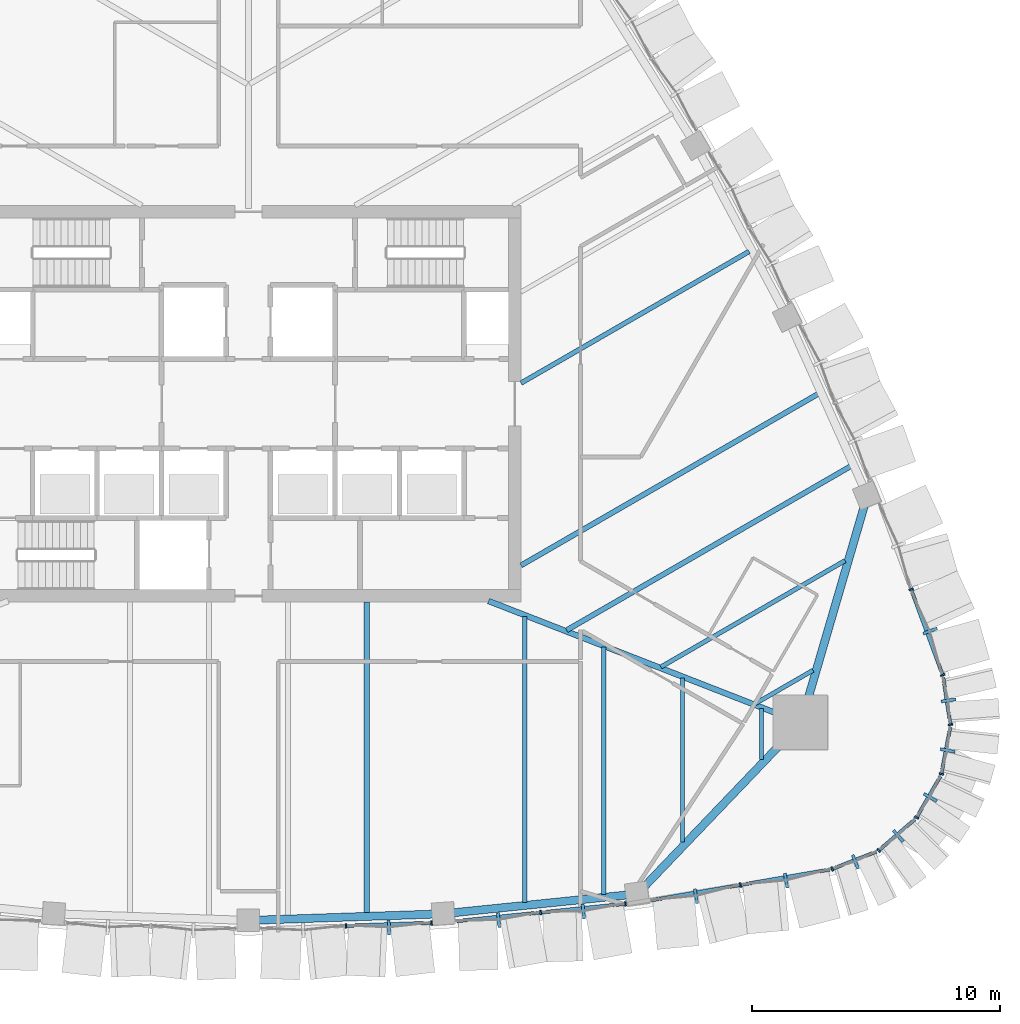
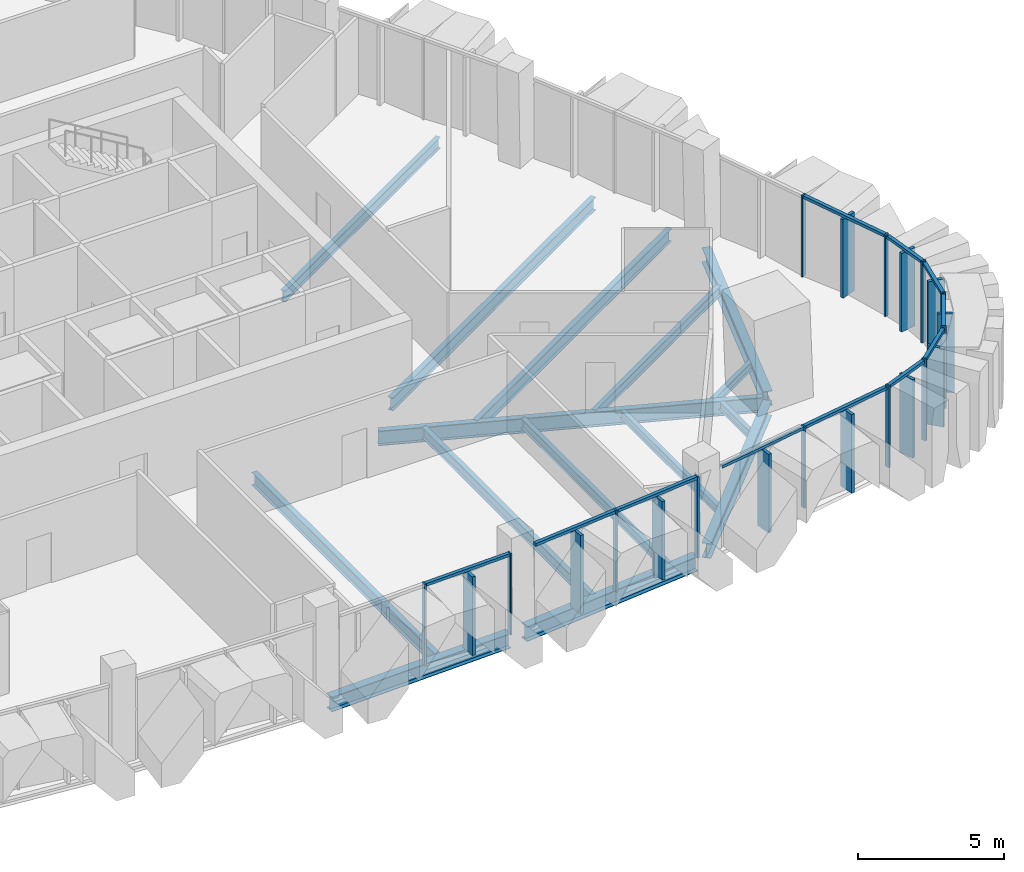
# One storey, part 4 of 19: 34 members, 15 beams, 9 elements without a shape of their own.
"""IFC4 building model written with IfcOpenShell, lengths in metres."""

import ifcopenshell
import ifcopenshell.guid

model = None  # the IFC model being written
_history = None  # IfcOwnerHistory: only IFC2X3 demands one
_inside = {}  # id of a spatial element -> (the spatial element, [elements in it])
_under = {}  # id of a project, library or spatial element -> (it, [spatial elements below it])
_declared = {}  # id of a project -> (the project, [libraries it declares])
_typed = {}  # id of a type object -> (the type object, [elements of that type])
_made_of = {}  # id of a material, layer set ... -> (it, [elements and type objects made of it])


def new_model(schema):
    """Start an empty IFC model of exactly this schema.

    Asked for "IFC4X3", IfcOpenShell would pick the latest addendum, in which some entities
    have other attributes; the version numbers below select the first issue.
    IFC2X3 requires an IfcOwnerHistory on every rooted entity: one is made here for all.
    """
    global model, _history
    if schema == "IFC4X3":
        model = ifcopenshell.file(schema_version=(4, 3, 0, 0))
    else:
        model = ifcopenshell.file(schema=schema)
    _inside.clear()
    _under.clear()
    _declared.clear()
    _typed.clear()
    _made_of.clear()
    _history = None
    if model.schema == "IFC2X3":
        org = make("IfcOrganization", Name="unknown")
        user = make(
            "IfcPersonAndOrganization",
            ThePerson=make("IfcPerson", FamilyName="unknown"),
            TheOrganization=org,
        )
        app = make(
            "IfcApplication",
            ApplicationDeveloper=org,
            Version="unknown",
            ApplicationFullName="unknown",
            ApplicationIdentifier="unknown",
        )
        _history = make(
            "IfcOwnerHistory",
            OwningUser=user,
            OwningApplication=app,
            ChangeAction="ADDED",
            CreationDate=0,
        )
    return model


def make(cls, **values):
    """One entity of the class cls with the attributes given. An attribute that is None is left unset."""
    return model.create_entity(
        cls, **{name: value for name, value in values.items() if value is not None}
    )


def rooted(cls, **values):
    """An entity with a GlobalId (a new one), such as an element, a storey or a relation."""
    return make(cls, GlobalId=ifcopenshell.guid.new(), OwnerHistory=_history, **values)


def si_unit(unit_type, name, prefix=None):
    """IfcSIUnit, for example si_unit("LENGTHUNIT", "METRE", prefix="MILLI")."""
    return make("IfcSIUnit", UnitType=unit_type, Prefix=prefix, Name=name)


def assignment(units):
    """IfcUnitAssignment: the units of a project."""
    return None if units is None else make("IfcUnitAssignment", Units=units)


def point(xyz):
    """IfcCartesianPoint."""
    return None if xyz is None else make("IfcCartesianPoint", Coordinates=xyz)


def direction(xyz):
    """IfcDirection."""
    return None if xyz is None else make("IfcDirection", DirectionRatios=xyz)


def frame(location, z_axis=None, x_axis=None):
    """IfcAxis2Placement3D, a coordinate frame: its origin and axes. An axis left out is left unset."""
    return make(
        "IfcAxis2Placement3D",
        Location=point(location),
        Axis=direction(z_axis),
        RefDirection=direction(x_axis),
    )


def frame_2d(location, x_axis=None):
    """IfcAxis2Placement2D, a coordinate frame in the plane: its origin and x axis."""
    return make(
        "IfcAxis2Placement2D", Location=point(location), RefDirection=direction(x_axis)
    )


def origin():
    """The frame at (0, 0, 0) with its axes left unset."""
    return frame((0.0, 0.0, 0.0))


def origin_2d():
    """The frame at (0, 0) in the plane with its x axis left unset."""
    return frame_2d((0.0, 0.0))


def place(relative_to, where):
    """IfcLocalPlacement: puts the frame where relative to a parent placement (None: the world)."""
    return make(
        "IfcLocalPlacement", PlacementRelTo=relative_to, RelativePlacement=where
    )


def context(
    kind, dimensions, precision=None, world=None, true_north=None, identifier=None
):
    """IfcGeometricRepresentationContext, for example the 3D "Model" context."""
    return make(
        "IfcGeometricRepresentationContext",
        ContextIdentifier=identifier,
        ContextType=kind,
        CoordinateSpaceDimension=dimensions,
        Precision=precision,
        WorldCoordinateSystem=world,
        TrueNorth=true_north,
    )


def subcontext(parent, identifier, kind, view, scale=None):
    """IfcGeometricRepresentationSubContext, for example "Body" below "Model"."""
    return make(
        "IfcGeometricRepresentationSubContext",
        ContextIdentifier=identifier,
        ContextType=kind,
        ParentContext=parent,
        TargetScale=scale,
        TargetView=view,
    )


def project(units=None, contexts=None):
    """IfcProject with its units and contexts."""
    return rooted(
        "IfcProject",
        Name="project",
        RepresentationContexts=contexts,
        UnitsInContext=assignment(units),
    )


def spatial(cls, under=None, at=None, **own):
    """A site, building, storey or space (cls), placed at a placement, below another one or the project."""
    s = rooted(cls, ObjectPlacement=at, **own)
    if under is not None:
        _under.setdefault(under.id(), (under, []))[1].append(s)
    return s


def profile(cls, at=None, kind="AREA", **sizes):
    """A parametric profile (cls). Its sizes go by their IFC names, for example OverallWidth=200.0."""
    return make(cls, ProfileType=kind, Position=at, **sizes)


def rectangle(**sizes):
    """IfcRectangleProfileDef."""
    return profile("IfcRectangleProfileDef", **sizes)


def i_section(**sizes):
    """IfcIShapeProfileDef."""
    return profile("IfcIShapeProfileDef", **sizes)


def extrude(swept, where, along, depth):
    """IfcExtrudedAreaSolid: the profile swept, set in the frame where, extruded along a direction by depth."""
    return make(
        "IfcExtrudedAreaSolid",
        SweptArea=swept,
        Position=where,
        ExtrudedDirection=direction(along),
        Depth=depth,
    )


def shape(context_of_items, identifier, shape_type, items):
    """IfcShapeRepresentation: the items that make up one representation, for example the "Body"."""
    return make(
        "IfcShapeRepresentation",
        ContextOfItems=context_of_items,
        RepresentationIdentifier=identifier,
        RepresentationType=shape_type,
        Items=items,
    )


def material(Name=None, Category=None):
    """IfcMaterial."""
    return make("IfcMaterial", Name=Name, Category=Category)


def layer(
    of_material, thickness, ventilated=None, Name=None, Category=None, Priority=None
):
    """IfcMaterialLayer: one layer of a wall or slab, of a material (None: an air gap)."""
    return make(
        "IfcMaterialLayer",
        Material=of_material,
        LayerThickness=thickness,
        IsVentilated=ventilated,
        Name=Name,
        Category=Category,
        Priority=Priority,
    )


def layer_set(layers, Name=None):
    """IfcMaterialLayerSet."""
    return make("IfcMaterialLayerSet", MaterialLayers=layers, LayerSetName=Name)


def material_profile(
    of_material, cross_section, Name=None, Category=None, Priority=None
):
    """IfcMaterialProfile: a cross section and its material."""
    return make(
        "IfcMaterialProfile",
        Name=Name,
        Material=of_material,
        Profile=cross_section,
        Priority=Priority,
        Category=Category,
    )


def profile_set(profiles, Name=None, composite=None):
    """IfcMaterialProfileSet."""
    return make(
        "IfcMaterialProfileSet",
        Name=Name,
        MaterialProfiles=profiles,
        CompositeProfile=composite,
    )


def made_of(thing, what):
    """Note that an element or type object is made of a material, layer set ...; save() writes the relation."""
    if what is not None:
        _made_of.setdefault(what.id(), (what, []))[1].append(thing)
    return thing


def type_object(cls, material=None, **own):
    """A type object (cls), such as IfcWallType, which elements share."""
    return made_of(rooted(cls, **own), material)


def element(
    cls,
    number,
    at=None,
    inside=None,
    cuts=None,
    type_object=None,
    material=None,
    context=None,
    identifier="Body",
    shape_type=None,
    held_by="IfcProductDefinitionShape",
    body=None,
    shapes=None,
    **own,
):
    """One element of the class cls, such as IfcWall. Its Tag is "e" and its number.

    at: its placement. inside: the storey or other place that contains it. cuts: it is an
    opening in that element (IfcRelVoidsElement). A single representation is given by context,
    identifier, shape_type and body (its items); several are given by shapes. held_by: the class
    of the entity that holds the representations. save() writes the other relations.
    """
    e = rooted(cls, Tag="e%d" % number, ObjectPlacement=at, **own)
    if body is not None:
        shapes = [shape(context, identifier, shape_type, body)]
    if shapes is not None:
        e.Representation = make(held_by, Representations=shapes)
    if inside is not None:
        _inside.setdefault(inside.id(), (inside, []))[1].append(e)
    if cuts is not None:
        rooted(
            "IfcRelVoidsElement", RelatingBuildingElement=cuts, RelatedOpeningElement=e
        )
    if type_object is not None:
        _typed.setdefault(type_object.id(), (type_object, []))[1].append(e)
    return made_of(e, material)


def aggregate(whole, parts):
    """IfcRelAggregates: a whole, such as a stair, and the parts it consists of."""
    return rooted("IfcRelAggregates", RelatingObject=whole, RelatedObjects=parts)


def save(model, path):
    """Write the relations noted so far, then the file.

    IfcRelAggregates (storeys below a building ...), IfcRelContainedInSpatialStructure (elements
    in a storey), IfcRelDefinesByType, IfcRelAssociatesMaterial and IfcRelDeclares: one each for
    every whole, place, type object, material and project.
    """
    for whole, parts in _under.values():
        aggregate(whole, parts)
    for where, things in _inside.values():
        rooted(
            "IfcRelContainedInSpatialStructure",
            RelatedElements=things,
            RelatingStructure=where,
        )
    for kind, things in _typed.values():
        rooted("IfcRelDefinesByType", RelatedObjects=things, RelatingType=kind)
    for what, things in _made_of.values():
        rooted("IfcRelAssociatesMaterial", RelatedObjects=things, RelatingMaterial=what)
    for by, libraries in _declared.values():
        rooted("IfcRelDeclares", RelatingContext=by, RelatedDefinitions=libraries)
    model.write(path)


model = new_model("IFC4")

# Units and contexts
model_context = context("Model", 3, precision=1e-05, world=origin(), true_north=direction((0.0, 1.0)))
body_context = subcontext(model_context, "Body", "Model", "MODEL_VIEW")
ifc_project = project(units=[si_unit("LENGTHUNIT", "METRE"), si_unit("AREAUNIT", "SQUARE_METRE"), si_unit("VOLUMEUNIT", "CUBIC_METRE"), si_unit("PLANEANGLEUNIT", "RADIAN"), si_unit("MASSUNIT", "GRAM", prefix="KILO")], contexts=[model_context])

# Site, building, storey
site_placement = place(None, origin())
site = spatial("IfcSite", under=ifc_project, at=site_placement, CompositionType="ELEMENT")
building_placement = place(site_placement, origin())
building = spatial("IfcBuilding", under=site, at=building_placement, Name="Sierra Prisma Convention Tower", CompositionType="ELEMENT")
storey_placement = place(building_placement, frame((0.0, 0.0, 231.0)))
storey = spatial("IfcBuildingStorey", under=building, at=storey_placement, Name="L51", CompositionType="ELEMENT", Elevation=231.0)

# Curtain wall, member
ifc_material_1 = material(Name="Aluminium and glass curtain wall", Category="aluminium")
ifc_layer = layer(ifc_material_1, 0.179931640625)
ifc_layer_set = layer_set([ifc_layer], Name="CW-2 Faceted crystal curtain wall")
curtain_wall_type = type_object("IfcCurtainWallType", Name="CW-2 Faceted crystal curtain wall", PredefinedType="NOTDEFINED", material=ifc_layer_set)
curtain_wall_1_placement = place(storey_placement, origin())
curtain_wall_1 = element("IfcCurtainWall", 1, at=curtain_wall_1_placement, inside=storey, type_object=curtain_wall_type, Name="CW-2 S4 L51", PredefinedType="NOTDEFINED")
ifc_material_2 = material(Name="Aluminium 6063-T6 bronze anodised", Category="aluminium")
ifc_material_profile_1 = material_profile(ifc_material_2, rectangle(XDim=0.1201171875, YDim=0.60009765625, at=origin_2d()), Name="ALU RIDGE BLADE 120x600")
ifc_profile_set_1 = profile_set([ifc_material_profile_1], Name="Aluminium 6063-T6 bronze anodised")
member_type_1 = type_object("IfcMemberType", Name="CW hip bronze", PredefinedType="MULLION", material=ifc_profile_set_1)
member_1_placement = place(storey_placement, frame((5.6689453125, -21.1328125, 0.0), z_axis=(0.0, 0.0, 1.0), x_axis=(0.999419608961, 0.03406530821, 0.0)))
member_1 = element("IfcMember", 2, at=member_1_placement, type_object=member_type_1, Name="CW-2 ridge S4.2", PredefinedType="MULLION", context=body_context, shape_type="SweptSolid", body=[
    extrude(rectangle(XDim=0.1201171875, YDim=0.60009765625, at=origin_2d()), origin(), (0.0, 0.0, 1.0), 3.280029296875),
])

# Curtain wall, members
curtain_wall_2_placement = place(storey_placement, origin())
curtain_wall_2 = element("IfcCurtainWall", 3, at=curtain_wall_2_placement, inside=storey, type_object=curtain_wall_type, Name="CW-2 S5 L51", PredefinedType="NOTDEFINED")
member_2_placement = place(storey_placement, frame((10.0947265625, -20.830810546875, 0.0), z_axis=(0.0, 0.0, 1.0), x_axis=(0.994780522114, 0.102037800949, 0.0)))
member_2 = element("IfcMember", 4, at=member_2_placement, type_object=member_type_1, Name="CW-2 ridge S5.1", PredefinedType="MULLION", context=body_context, shape_type="SweptSolid", body=[
    extrude(rectangle(XDim=0.1201171875, YDim=0.60009765625, at=origin_2d()), origin(), (0.0, 0.0, 1.0), 3.280029296875),
])
member_3_placement = place(storey_placement, frame((13.515869140625, -20.47998046875, 0.0), z_axis=(0.0, 0.0, 1.0), x_axis=(0.994780522114, 0.102037800949, 0.0)))
member_3 = element("IfcMember", 5, at=member_3_placement, type_object=member_type_1, Name="CW-2 ridge S5.2", PredefinedType="MULLION", context=body_context, shape_type="SweptSolid", body=[
    extrude(rectangle(XDim=0.1201171875, YDim=0.60009765625, at=origin_2d()), origin(), (0.0, 0.0, 1.0), 3.280029296875),
])

curtain_wall_3_placement = place(storey_placement, origin())
curtain_wall_3 = element("IfcCurtainWall", 6, at=curtain_wall_3_placement, inside=storey, type_object=curtain_wall_type, Name="CW-2 S6 L51", PredefinedType="NOTDEFINED")
member_4_placement = place(storey_placement, frame((18.057861328125, -19.8642578125, 0.0), z_axis=(0.0, 0.0, 1.0), x_axis=(0.985523882043, 0.169536656574, 0.0)))
member_4 = element("IfcMember", 7, at=member_4_placement, type_object=member_type_1, Name="CW-2 ridge S6.1", PredefinedType="MULLION", context=body_context, shape_type="SweptSolid", body=[
    extrude(rectangle(XDim=0.1201171875, YDim=0.60009765625, at=origin_2d()), origin(), (0.0, 0.0, 1.0), 3.280029296875),
])
member_5_placement = place(storey_placement, frame((21.69091796875, -19.2392578125, 0.0), z_axis=(0.0, 0.0, 1.0), x_axis=(0.985523882043, 0.169536656574, 0.0)))
member_5 = element("IfcMember", 8, at=member_5_placement, type_object=member_type_1, Name="CW-2 ridge S6.2", PredefinedType="MULLION", context=body_context, shape_type="SweptSolid", body=[
    extrude(rectangle(XDim=0.1201171875, YDim=0.60009765625, at=origin_2d()), origin(), (0.0, 0.0, 1.0), 3.280029296875),
])

# Curtain wall, member
curtain_wall_4_placement = place(storey_placement, origin())
curtain_wall_4 = element("IfcCurtainWall", 9, at=curtain_wall_4_placement, inside=storey, type_object=curtain_wall_type, Name="CW-2 SE1 L51", PredefinedType="NOTDEFINED")
member_6_placement = place(storey_placement, frame((24.48779296875, -18.480712890625, 0.0), z_axis=(0.0, 0.0, 1.0), x_axis=(0.931243906009, 0.364396470236, 0.0)))
member_6 = element("IfcMember", 10, at=member_6_placement, type_object=member_type_1, Name="CW-2 ridge SE1.1", PredefinedType="MULLION", context=body_context, shape_type="SweptSolid", body=[
    extrude(rectangle(XDim=0.1201171875, YDim=0.60009765625, at=origin_2d()), origin(), (0.0, 0.0, 1.0), 3.280029296875),
])

curtain_wall_5_placement = place(storey_placement, origin())
curtain_wall_5 = element("IfcCurtainWall", 11, at=curtain_wall_5_placement, inside=storey, type_object=curtain_wall_type, Name="CW-2 SE2 L51", PredefinedType="NOTDEFINED")
member_7_placement = place(storey_placement, frame((26.2197265625, -17.438720703125, 0.0), z_axis=(0.0, 0.0, 1.0), x_axis=(0.75830249661, 0.65190284831, 0.0)))
member_7 = element("IfcMember", 12, at=member_7_placement, type_object=member_type_1, Name="CW-2 ridge SE2.1", PredefinedType="MULLION", context=body_context, shape_type="SweptSolid", body=[
    extrude(rectangle(XDim=0.1201171875, YDim=0.60009765625, at=origin_2d()), origin(), (0.0, 0.0, 1.0), 3.280029296875),
])

curtain_wall_6_placement = place(storey_placement, origin())
curtain_wall_6 = element("IfcCurtainWall", 13, at=curtain_wall_6_placement, inside=storey, type_object=curtain_wall_type, Name="CW-2 SE3 L51", PredefinedType="NOTDEFINED")
member_8_placement = place(storey_placement, frame((27.509765625, -15.8828125, 0.0), z_axis=(0.0, 0.0, 1.0), x_axis=(0.5, 0.866025403784, 0.0)))
member_8 = element("IfcMember", 14, at=member_8_placement, type_object=member_type_1, Name="CW-2 ridge SE3.1", PredefinedType="MULLION", context=body_context, shape_type="SweptSolid", body=[
    extrude(rectangle(XDim=0.1201171875, YDim=0.60009765625, at=origin_2d()), origin(), (0.0, 0.0, 1.0), 3.280029296875),
])

curtain_wall_7_placement = place(storey_placement, origin())
curtain_wall_7 = element("IfcCurtainWall", 15, at=curtain_wall_7_placement, inside=storey, type_object=curtain_wall_type, Name="CW-2 SE4 L51", PredefinedType="NOTDEFINED")
member_9_placement = place(storey_placement, frame((28.21240234375, -13.987548828125, 0.0), z_axis=(0.0, 0.0, 1.0), x_axis=(0.185413179131, 0.982660649973, 0.0)))
member_9 = element("IfcMember", 16, at=member_9_placement, type_object=member_type_1, Name="CW-2 ridge SE4.1", PredefinedType="MULLION", context=body_context, shape_type="SweptSolid", body=[
    extrude(rectangle(XDim=0.1201171875, YDim=0.60009765625, at=origin_2d()), origin(), (0.0, 0.0, 1.0), 3.280029296875),
])

curtain_wall_8_placement = place(storey_placement, origin())
curtain_wall_8 = element("IfcCurtainWall", 17, at=curtain_wall_8_placement, inside=storey, type_object=curtain_wall_type, Name="CW-2 SE5 L51", PredefinedType="NOTDEFINED")
member_10_placement = place(storey_placement, frame((28.24853515625, -11.966552734375, 0.0), z_axis=(0.0, 0.0, 1.0), x_axis=(-0.150045352731, 0.988679114842, 0.0)))
member_10 = element("IfcMember", 18, at=member_10_placement, type_object=member_type_1, Name="CW-2 ridge SE5.1", PredefinedType="MULLION", context=body_context, shape_type="SweptSolid", body=[
    extrude(rectangle(XDim=0.1201171875, YDim=0.60009765625, at=origin_2d()), origin(), (0.0, 0.0, 1.0), 3.280029296875),
])

curtain_wall_9_placement = place(storey_placement, origin())
curtain_wall_9 = element("IfcCurtainWall", 19, at=curtain_wall_9_placement, inside=storey, type_object=curtain_wall_type, Name="CW-2 NE1 L51", PredefinedType="NOTDEFINED")
member_11_placement = place(storey_placement, frame((27.507080078125, -9.165283203125, 0.0), z_axis=(0.0, 0.0, 1.0), x_axis=(-0.345938889556, 0.938257046173, 0.0)))
member_11 = element("IfcMember", 20, at=member_11_placement, type_object=member_type_1, Name="CW-2 ridge NE1.1", PredefinedType="MULLION", context=body_context, shape_type="SweptSolid", body=[
    extrude(rectangle(XDim=0.1201171875, YDim=0.60009765625, at=origin_2d()), origin(), (0.0, 0.0, 1.0), 3.280029296875),
])

# Member
ifc_material_3 = material(Name="Aluminium 6063-T6 bronze anodised", Category="aluminium")
ifc_material_profile_2 = material_profile(ifc_material_3, rectangle(XDim=0.179931640625, YDim=0.070068359375, at=origin_2d()), Name="ALU MULLION 70x180")
ifc_profile_set_2 = profile_set([ifc_material_profile_2], Name="Aluminium 6063-T6 bronze anodised")
member_type_2 = type_object("IfcMemberType", Name="CW mullion bronze", PredefinedType="MULLION", material=ifc_profile_set_2)
member_12_placement = place(storey_placement, frame((3.937744140625, -21.05859375, 0.0), z_axis=(0.0, 0.0, 1.0), x_axis=(-0.03406530821, 0.999419608961, 0.0)))
member_12 = element("IfcMember", 21, at=member_12_placement, type_object=member_type_2, Name="CW-1 mullion S4.2", PredefinedType="MULLION", context=body_context, shape_type="SweptSolid", body=[
    extrude(rectangle(XDim=0.179931640625, YDim=0.070068359375, at=origin_2d()), origin(), (0.0, 0.0, 1.0), 3.39990234375),
])

member_13_placement = place(storey_placement, frame((7.390869140625, -20.94091796875, 0.0), z_axis=(0.0, 0.0, 1.0), x_axis=(-0.03406530821, 0.999419608961, 0.0)))
member_13 = element("IfcMember", 22, at=member_13_placement, type_object=member_type_2, Name="CW-1 mullion S4.3", PredefinedType="MULLION", context=body_context, shape_type="SweptSolid", body=[
    extrude(rectangle(XDim=0.179931640625, YDim=0.070068359375, at=origin_2d()), origin(), (0.0, 0.0, 1.0), 3.39990234375),
])

member_14_placement = place(storey_placement, frame((11.791748046875, -20.523681640625, 0.0), z_axis=(0.0, 0.0, 1.0), x_axis=(-0.102037800949, 0.994780522114, 0.0)))
member_14 = element("IfcMember", 23, at=member_14_placement, type_object=member_type_2, Name="CW-1 mullion S5.2", PredefinedType="MULLION", context=body_context, shape_type="SweptSolid", body=[
    extrude(rectangle(XDim=0.179931640625, YDim=0.070068359375, at=origin_2d()), origin(), (0.0, 0.0, 1.0), 3.39990234375),
])

member_15_placement = place(storey_placement, frame((15.212890625, -20.172607421875, 0.0), z_axis=(0.0, 0.0, 1.0), x_axis=(-0.102037800949, 0.994780522114, 0.0)))
member_15 = element("IfcMember", 24, at=member_15_placement, type_object=member_type_2, Name="CW-1 mullion S5.3", PredefinedType="MULLION", context=body_context, shape_type="SweptSolid", body=[
    extrude(rectangle(XDim=0.179931640625, YDim=0.070068359375, at=origin_2d()), origin(), (0.0, 0.0, 1.0), 3.39990234375),
])

member_16_placement = place(storey_placement, frame((19.850341796875, -19.411376953125, 0.0), z_axis=(0.0, 0.0, 1.0), x_axis=(-0.169536656574, 0.985523882043, 0.0)))
member_16 = element("IfcMember", 25, at=member_16_placement, type_object=member_type_2, Name="CW-1 mullion S6.2", PredefinedType="MULLION", context=body_context, shape_type="SweptSolid", body=[
    extrude(rectangle(XDim=0.179931640625, YDim=0.070068359375, at=origin_2d()), origin(), (0.0, 0.0, 1.0), 3.39990234375),
])

member_17_placement = place(storey_placement, frame((23.55029296875, -18.767822265625, 0.0), z_axis=(0.0, 0.0, 1.0), x_axis=(-0.364396470236, 0.931243906009, 0.0)))
member_17 = element("IfcMember", 26, at=member_17_placement, type_object=member_type_2, Name="CW-1 mullion SE1.1", PredefinedType="MULLION", context=body_context, shape_type="SweptSolid", body=[
    extrude(rectangle(XDim=0.179931640625, YDim=0.070068359375, at=origin_2d()), origin(), (0.0, 0.0, 1.0), 3.39990234375),
])

member_18_placement = place(storey_placement, frame((25.43017578125, -18.019775390625, 0.0), z_axis=(0.0, 0.0, 1.0), x_axis=(-0.65190284831, 0.75830249661, 0.0)))
member_18 = element("IfcMember", 27, at=member_18_placement, type_object=member_type_2, Name="CW-1 mullion SE2.1", PredefinedType="MULLION", context=body_context, shape_type="SweptSolid", body=[
    extrude(rectangle(XDim=0.179931640625, YDim=0.070068359375, at=origin_2d()), origin(), (0.0, 0.0, 1.0), 3.39990234375),
])

member_19_placement = place(storey_placement, frame((26.956787109375, -16.692138671875, 0.0), z_axis=(0.0, 0.0, 1.0), x_axis=(-0.866025403784, 0.5, 0.0)))
member_19 = element("IfcMember", 28, at=member_19_placement, type_object=member_type_2, Name="CW-1 mullion SE3.1", PredefinedType="MULLION", context=body_context, shape_type="SweptSolid", body=[
    extrude(rectangle(XDim=0.179931640625, YDim=0.070068359375, at=origin_2d()), origin(), (0.0, 0.0, 1.0), 3.39990234375),
])

member_20_placement = place(storey_placement, frame((27.958251953125, -14.934326171875, 0.0), z_axis=(0.0, 0.0, 1.0), x_axis=(-0.982660649973, 0.185413179131, 0.0)))
member_20 = element("IfcMember", 29, at=member_20_placement, type_object=member_type_2, Name="CW-1 mullion SE4.1", PredefinedType="MULLION", context=body_context, shape_type="SweptSolid", body=[
    extrude(rectangle(XDim=0.179931640625, YDim=0.070068359375, at=origin_2d()), origin(), (0.0, 0.0, 1.0), 3.39990234375),
])

member_21_placement = place(storey_placement, frame((28.322021484375, -12.944091796875, 0.0), z_axis=(0.0, 0.0, 1.0), x_axis=(-0.988679114842, -0.150045352731, 0.0)))
member_21 = element("IfcMember", 30, at=member_21_placement, type_object=member_type_2, Name="CW-1 mullion SE5.1", PredefinedType="MULLION", context=body_context, shape_type="SweptSolid", body=[
    extrude(rectangle(XDim=0.179931640625, YDim=0.070068359375, at=origin_2d()), origin(), (0.0, 0.0, 1.0), 3.39990234375),
])

member_22_placement = place(storey_placement, frame((28.01123046875, -10.94384765625, 0.0), z_axis=(0.0, 0.0, 1.0), x_axis=(-0.938257046173, -0.345938889556, 0.0)))
member_22 = element("IfcMember", 31, at=member_22_placement, type_object=member_type_2, Name="CW-1 mullion NE1.1", PredefinedType="MULLION", context=body_context, shape_type="SweptSolid", body=[
    extrude(rectangle(XDim=0.179931640625, YDim=0.070068359375, at=origin_2d()), origin(), (0.0, 0.0, 1.0), 3.39990234375),
])

member_23_placement = place(storey_placement, frame((26.736083984375, -7.485107421875, 0.0), z_axis=(0.0, 0.0, 1.0), x_axis=(-0.938257046173, -0.345938889556, 0.0)))
member_23 = element("IfcMember", 32, at=member_23_placement, type_object=member_type_2, Name="CW-1 mullion NE1.2", PredefinedType="MULLION", context=body_context, shape_type="SweptSolid", body=[
    extrude(rectangle(XDim=0.179931640625, YDim=0.070068359375, at=origin_2d()), origin(), (0.0, 0.0, 1.0), 3.39990234375),
])

ifc_material_4 = material(Name="Aluminium 6063-T6 bronze anodised", Category="aluminium")
ifc_material_profile_3 = material_profile(ifc_material_4, rectangle(XDim=0.139892578125, YDim=0.1201171875, at=origin_2d()), Name="ALU TRANSOM 120x140")
ifc_profile_set_3 = profile_set([ifc_material_profile_3], Name="Aluminium 6063-T6 bronze anodised")
member_type_3 = type_object("IfcMemberType", Name="CW transom bronze", PredefinedType="USERDEFINED", material=ifc_profile_set_3)
member_24_placement = place(storey_placement, frame((3.972900390625, -21.057373046875, 3.340087890625), z_axis=(0.999420387349, 0.034042463941, 0.0), x_axis=(-0.034042463941, 0.999420387349, 0.0)))
member_24 = element("IfcMember", 33, at=member_24_placement, type_object=member_type_3, Name="CW-1 transom S4.2", ObjectType="TRANSOM", PredefinedType="USERDEFINED", context=body_context, shape_type="SweptSolid", body=[
    extrude(rectangle(XDim=0.139892578125, YDim=0.1201171875, at=origin_2d()), origin(), (0.0, 0.0, 1.0), 3.385009765625),
])

aggregate(curtain_wall_1, [member_12, member_13, member_24, member_1])

member_25_placement = place(storey_placement, frame((8.4052734375, -20.870849609375, 3.340087890625), z_axis=(0.994781438611, 0.102028865499, 0.0), x_axis=(-0.102028865499, 0.994781438611, 0.0)))
member_25 = element("IfcMember", 34, at=member_25_placement, type_object=member_type_3, Name="CW-1 transom S5.1", ObjectType="TRANSOM", PredefinedType="USERDEFINED", context=body_context, shape_type="SweptSolid", body=[
    extrude(rectangle(XDim=0.139892578125, YDim=0.1201171875, at=origin_2d()), origin(), (0.0, 0.0, 1.0), 3.369140625),
])

member_26_placement = place(storey_placement, frame((11.826416015625, -20.52001953125, 3.340087890625), z_axis=(0.994782192868, 0.102021511221, 0.0), x_axis=(-0.102021511221, 0.994782192868, 0.0)))
member_26 = element("IfcMember", 35, at=member_26_placement, type_object=member_type_3, Name="CW-1 transom S5.2", ObjectType="TRANSOM", PredefinedType="USERDEFINED", context=body_context, shape_type="SweptSolid", body=[
    extrude(rectangle(XDim=0.139892578125, YDim=0.1201171875, at=origin_2d()), origin(), (0.0, 0.0, 1.0), 3.369384765625),
])

aggregate(curtain_wall_2, [member_14, member_15, member_25, member_2, member_26, member_3])

member_27_placement = place(storey_placement, frame((16.251953125, -20.030517578125, 3.340087890625), z_axis=(0.985526693461, 0.16952031287, 0.0), x_axis=(-0.16952031287, 0.985526693461, 0.0)))
member_27 = element("IfcMember", 36, at=member_27_placement, type_object=member_type_3, Name="CW-1 transom S6.1", ObjectType="TRANSOM", PredefinedType="USERDEFINED", context=body_context, shape_type="SweptSolid", body=[
    extrude(rectangle(XDim=0.139892578125, YDim=0.1201171875, at=origin_2d()), origin(), (0.0, 0.0, 1.0), 3.6162109375),
])

member_28_placement = place(storey_placement, frame((19.884765625, -19.405517578125, 3.340087890625), z_axis=(0.985526693461, 0.16952031287, 0.0), x_axis=(-0.16952031287, 0.985526693461, 0.0)))
member_28 = element("IfcMember", 37, at=member_28_placement, type_object=member_type_3, Name="CW-1 transom S6.2", ObjectType="TRANSOM", PredefinedType="USERDEFINED", context=body_context, shape_type="SweptSolid", body=[
    extrude(rectangle(XDim=0.139892578125, YDim=0.1201171875, at=origin_2d()), origin(), (0.0, 0.0, 1.0), 3.6162109375),
])

aggregate(curtain_wall_3, [member_16, member_27, member_4, member_28, member_5])

member_29_placement = place(storey_placement, frame((23.5830078125, -18.755126953125, 3.340087890625), z_axis=(0.931219847165, 0.364457948529, 0.0), x_axis=(-0.364457948529, 0.931219847165, 0.0)))
member_29 = element("IfcMember", 38, at=member_29_placement, type_object=member_type_3, Name="CW-1 transom SE1.1", ObjectType="TRANSOM", PredefinedType="USERDEFINED", context=body_context, shape_type="SweptSolid", body=[
    extrude(rectangle(XDim=0.139892578125, YDim=0.1201171875, at=origin_2d()), origin(), (0.0, 0.0, 1.0), 1.885009765625),
])

aggregate(curtain_wall_4, [member_17, member_29, member_6])

member_30_placement = place(storey_placement, frame((25.45654296875, -17.9970703125, 3.340087890625), z_axis=(0.758268421779, 0.651942482534, 0.0), x_axis=(-0.651942482534, 0.758268421779, 0.0)))
member_30 = element("IfcMember", 39, at=member_30_placement, type_object=member_type_3, Name="CW-1 transom SE2.1", ObjectType="TRANSOM", PredefinedType="USERDEFINED", context=body_context, shape_type="SweptSolid", body=[
    extrude(rectangle(XDim=0.139892578125, YDim=0.1201171875, at=origin_2d()), origin(), (0.0, 0.0, 1.0), 1.88525390625),
])

aggregate(curtain_wall_5, [member_18, member_30, member_7])

member_31_placement = place(storey_placement, frame((26.97412109375, -16.661865234375, 3.340087890625), z_axis=(0.500025132165, 0.866010893236, 0.0), x_axis=(-0.866010893236, 0.500025132165, 0.0)))
member_31 = element("IfcMember", 40, at=member_31_placement, type_object=member_type_3, Name="CW-1 transom SE3.1", ObjectType="TRANSOM", PredefinedType="USERDEFINED", context=body_context, shape_type="SweptSolid", body=[
    extrude(rectangle(XDim=0.139892578125, YDim=0.1201171875, at=origin_2d()), origin(), (0.0, 0.0, 1.0), 1.88525390625),
])

aggregate(curtain_wall_6, [member_19, member_31, member_8])

member_32_placement = place(storey_placement, frame((27.964599609375, -14.89990234375, 3.340087890625), z_axis=(0.185469211625, 0.982650075835, 0.0), x_axis=(-0.982650075835, 0.185469211625, 0.0)))
member_32 = element("IfcMember", 41, at=member_32_placement, type_object=member_type_3, Name="CW-1 transom SE4.1", ObjectType="TRANSOM", PredefinedType="USERDEFINED", context=body_context, shape_type="SweptSolid", body=[
    extrude(rectangle(XDim=0.139892578125, YDim=0.1201171875, at=origin_2d()), origin(), (0.0, 0.0, 1.0), 1.885009765625),
])

aggregate(curtain_wall_7, [member_20, member_32, member_9])

member_33_placement = place(storey_placement, frame((28.316650390625, -12.90966796875, 3.340087890625), z_axis=(-0.149974183825, 0.98868991306, 0.0), x_axis=(-0.98868991306, -0.149974183825, 0.0)))
member_33 = element("IfcMember", 42, at=member_33_placement, type_object=member_type_3, Name="CW-1 transom SE5.1", ObjectType="TRANSOM", PredefinedType="USERDEFINED", context=body_context, shape_type="SweptSolid", body=[
    extrude(rectangle(XDim=0.139892578125, YDim=0.1201171875, at=origin_2d()), origin(), (0.0, 0.0, 1.0), 1.885009765625),
])

aggregate(curtain_wall_8, [member_21, member_33, member_10])

member_34_placement = place(storey_placement, frame((27.9990234375, -10.910888671875, 3.340087890625), z_axis=(-0.345946260296, 0.93825432852, 0.0), x_axis=(-0.93825432852, -0.345946260296, 0.0)))
member_34 = element("IfcMember", 43, at=member_34_placement, type_object=member_type_3, Name="CW-1 transom NE1.1", ObjectType="TRANSOM", PredefinedType="USERDEFINED", context=body_context, shape_type="SweptSolid", body=[
    extrude(rectangle(XDim=0.139892578125, YDim=0.1201171875, at=origin_2d()), origin(), (0.0, 0.0, 1.0), 3.6162109375),
])

aggregate(curtain_wall_9, [member_22, member_23, member_34, member_11])

# Beams
ifc_material_5 = material(Name="Steel ASTM A992 Gr 50", Category="steel")
ifc_material_profile_4 = material_profile(ifc_material_5, i_section(OverallWidth=0.172119140625, OverallDepth=0.35791015625, WebThickness=0.0078125, FlangeThickness=0.01318359375, at=origin_2d()), Name="W360x57")
ifc_profile_set_4 = profile_set([ifc_material_profile_4], Name="Steel ASTM A992 Gr 50")
beam_type_1 = type_object("IfcBeamType", Name="Floor joist W360x57", PredefinedType="JOIST", material=ifc_profile_set_4)
beam_1_placement = place(storey_placement, frame((17.515380859375, -17.679931640625, -0.3291015625), z_axis=(0.0, 1.0, 0.0), x_axis=(-1.0, 0.0, 0.0)))
element("IfcBeam", 44, at=beam_1_placement, inside=storey, type_object=beam_type_1, Name="Floor joist L51 S13", PredefinedType="JOIST", context=body_context, shape_type="SweptSolid", body=[
    extrude(i_section(OverallWidth=0.172119140625, OverallDepth=0.35791015625, WebThickness=0.0078125, FlangeThickness=0.01318359375, at=origin_2d()), origin(), (0.0, 0.0, 1.0), 6.62255859375),
])
beam_2_placement = place(storey_placement, frame((20.7001953125, -14.350341796875, -0.3291015625), z_axis=(0.0, 1.0, 0.0), x_axis=(-1.0, 0.0, 0.0)))
element("IfcBeam", 45, at=beam_2_placement, inside=storey, type_object=beam_type_1, Name="Floor joist L51 S14", PredefinedType="JOIST", context=body_context, shape_type="SweptSolid", body=[
    extrude(i_section(OverallWidth=0.172119140625, OverallDepth=0.35791015625, WebThickness=0.0078125, FlangeThickness=0.01318359375, at=origin_2d()), origin(), (0.0, 0.0, 1.0), 2.05126953125),
])
beam_3_placement = place(storey_placement, frame((22.77783203125, -10.751708984375, -0.3291015625), z_axis=(-0.866039334336, -0.4999758708, 0.0), x_axis=(0.4999758708, -0.866039334336, 0.0)))
element("IfcBeam", 46, at=beam_3_placement, inside=storey, type_object=beam_type_1, Name="Floor joist L51 NE01", PredefinedType="JOIST", context=body_context, shape_type="SweptSolid", body=[
    extrude(i_section(OverallWidth=0.172119140625, OverallDepth=0.35791015625, WebThickness=0.0078125, FlangeThickness=0.01318359375, at=origin_2d()), origin(), (0.0, 0.0, 1.0), 2.696533203125),
])
ifc_material_6 = material(Name="Steel ASTM A992 Gr 50", Category="steel")
ifc_material_profile_5 = material_profile(ifc_material_6, i_section(OverallWidth=0.177978515625, OverallDepth=0.406982421875, WebThickness=0.0078125, FlangeThickness=0.0126953125, at=origin_2d()), Name="W410x60")
ifc_profile_set_5 = profile_set([ifc_material_profile_5], Name="Steel ASTM A992 Gr 50")
beam_type_2 = type_object("IfcBeamType", Name="Floor joist W410x60", PredefinedType="JOIST", material=ifc_profile_set_5)
beam_4_placement = place(storey_placement, frame((14.330810546875, -19.798095703125, -0.353515625), z_axis=(0.0, 1.0, 0.0), x_axis=(-1.0, 0.0, 0.0)))
element("IfcBeam", 47, at=beam_4_placement, inside=storey, type_object=beam_type_2, Name="Floor joist L51 S12", PredefinedType="JOIST", context=body_context, shape_type="SweptSolid", body=[
    extrude(i_section(OverallWidth=0.177978515625, OverallDepth=0.406982421875, WebThickness=0.0078125, FlangeThickness=0.0126953125, at=origin_2d()), origin(), (0.0, 0.0, 1.0), 9.982177734375),
])
beam_5_placement = place(storey_placement, frame((24.069091796875, -6.328857421875, -0.353515625), z_axis=(-0.866025855365, -0.499999217839, 0.0), x_axis=(0.499999217839, -0.866025855365, 0.0)))
element("IfcBeam", 48, at=beam_5_placement, inside=storey, type_object=beam_type_2, Name="Floor joist L51 NE02", PredefinedType="JOIST", context=body_context, shape_type="SweptSolid", body=[
    extrude(i_section(OverallWidth=0.177978515625, OverallDepth=0.406982421875, WebThickness=0.0078125, FlangeThickness=0.0126953125, at=origin_2d()), origin(), (0.0, 0.0, 1.0), 8.57763671875),
])
ifc_material_7 = material(Name="Steel ASTM A992 Gr 50", Category="steel")
ifc_material_profile_6 = material_profile(ifc_material_7, i_section(OverallWidth=0.18994140625, OverallDepth=0.45703125, WebThickness=0.009033203125, FlangeThickness=0.014404296875, at=origin_2d()), Name="W460x74")
ifc_profile_set_6 = profile_set([ifc_material_profile_6], Name="Steel ASTM A992 Gr 50")
beam_type_3 = type_object("IfcBeamType", Name="Floor joist W460x74", PredefinedType="JOIST", material=ifc_profile_set_6)
beam_6_placement = place(storey_placement, frame((11.146240234375, -20.124755859375, -0.37841796875), z_axis=(0.0, 1.0, 0.0), x_axis=(-1.0, 0.0, 0.0)))
element("IfcBeam", 49, at=beam_6_placement, inside=storey, type_object=beam_type_3, Name="Floor joist L51 S11", PredefinedType="JOIST", context=body_context, shape_type="SweptSolid", body=[
    extrude(i_section(OverallWidth=0.18994140625, OverallDepth=0.45703125, WebThickness=0.009033203125, FlangeThickness=0.014404296875, at=origin_2d()), origin(), (0.0, 0.0, 1.0), 11.550537109375),
])
beam_7_placement = place(storey_placement, frame((20.200439453125, 6.146728515625, -0.37841796875), z_axis=(-0.866029830877, -0.499992331973, 0.0), x_axis=(0.499992331973, -0.866029830877, 0.0)))
element("IfcBeam", 50, at=beam_7_placement, inside=storey, type_object=beam_type_3, Name="Floor joist L51 NE06", PredefinedType="JOIST", context=body_context, shape_type="SweptSolid", body=[
    extrude(i_section(OverallWidth=0.18994140625, OverallDepth=0.45703125, WebThickness=0.009033203125, FlangeThickness=0.014404296875, at=origin_2d()), origin(), (0.0, 0.0, 1.0), 10.623779296875),
])
ifc_material_8 = material(Name="Steel ASTM A992 Gr 50", Category="steel")
ifc_material_profile_7 = material_profile(ifc_material_8, i_section(OverallWidth=0.208984375, OverallDepth=0.532958984375, WebThickness=0.01025390625, FlangeThickness=0.015625, at=origin_2d()), Name="W530x92")
ifc_profile_set_7 = profile_set([ifc_material_profile_7], Name="Steel ASTM A992 Gr 50")
beam_type_4 = type_object("IfcBeamType", Name="Floor joist W530x92", PredefinedType="JOIST", material=ifc_profile_set_7)
beam_8_placement = place(storey_placement, frame((4.77685546875, -20.5673828125, -0.41650390625), z_axis=(0.0, 1.0, 0.0), x_axis=(-1.0, 0.0, 0.0)))
element("IfcBeam", 51, at=beam_8_placement, inside=storey, type_object=beam_type_4, Name="Floor joist L51 S09", PredefinedType="JOIST", context=body_context, shape_type="SweptSolid", body=[
    extrude(i_section(OverallWidth=0.208984375, OverallDepth=0.532958984375, WebThickness=0.01025390625, FlangeThickness=0.015625, at=origin_2d()), origin(), (0.0, 0.0, 1.0), 12.5673828125),
])
beam_9_placement = place(storey_placement, frame((24.31103515625, -2.51171875, -0.41650390625), z_axis=(-0.866022923061, -0.500004296715, 0.0), x_axis=(0.500004296715, -0.866022923061, 0.0)))
element("IfcBeam", 52, at=beam_9_placement, inside=storey, type_object=beam_type_4, Name="Floor joist L51 NE03", PredefinedType="JOIST", context=body_context, shape_type="SweptSolid", body=[
    extrude(i_section(OverallWidth=0.208984375, OverallDepth=0.532958984375, WebThickness=0.01025390625, FlangeThickness=0.015625, at=origin_2d()), origin(), (0.0, 0.0, 1.0), 13.2470703125),
])
beam_10_placement = place(storey_placement, frame((23.001708984375, 0.409423828125, -0.41650390625), z_axis=(-0.866025113017, -0.500000503624, 0.0), x_axis=(0.500000503624, -0.866025113017, 0.0)))
element("IfcBeam", 53, at=beam_10_placement, inside=storey, type_object=beam_type_4, Name="Floor joist L51 NE04", PredefinedType="JOIST", context=body_context, shape_type="SweptSolid", body=[
    extrude(i_section(OverallWidth=0.208984375, OverallDepth=0.532958984375, WebThickness=0.01025390625, FlangeThickness=0.015625, at=origin_2d()), origin(), (0.0, 0.0, 1.0), 13.8583984375),
])
ifc_material_9 = material(Name="Steel ASTM A992 Gr 50", Category="steel")
ifc_material_profile_8 = material_profile(ifc_material_9, i_section(OverallWidth=0.22998046875, OverallDepth=0.616943359375, WebThickness=0.01318359375, FlangeThickness=0.022216796875, at=origin_2d()), Name="W610x140")
ifc_profile_set_8 = profile_set([ifc_material_profile_8], Name="Steel ASTM A992 Gr 50")
beam_type_5 = type_object("IfcBeamType", Name="Radial girder W610x140", PredefinedType="BEAM", material=ifc_profile_set_8)
beam_11_placement = place(storey_placement, frame((22.072509765625, -12.78466796875, -0.45849609375), z_axis=(-0.931692725478, 0.363247388554, 0.0), x_axis=(-0.363247388554, -0.931692725478, 0.0)))
element("IfcBeam", 54, at=beam_11_placement, inside=storey, type_object=beam_type_5, Name="Radial girder L51 SE", PredefinedType="BEAM", context=body_context, shape_type="SweptSolid", body=[
    extrude(i_section(OverallWidth=0.22998046875, OverallDepth=0.616943359375, WebThickness=0.01318359375, FlangeThickness=0.022216796875, at=origin_2d()), origin(), (0.0, 0.0, 1.0), 13.292236328125),
])
ifc_material_10 = material(Name="Steel ASTM A992 Gr 50", Category="steel")
ifc_material_profile_9 = material_profile(ifc_material_10, i_section(OverallWidth=0.324951171875, OverallDepth=0.615966796875, WebThickness=0.013916015625, FlangeThickness=0.021484375, at=origin_2d()), Name="W610x174")
ifc_profile_set_9 = profile_set([ifc_material_profile_9], Name="Steel ASTM A992 Gr 50")
beam_type_6 = type_object("IfcBeamType", Name="Spandrel beam W610x174", PredefinedType="BEAM", material=ifc_profile_set_9)
for number, where, z_axis, x_axis, name in (
    (55, (0.330078125, -20.83154296875, -0.4580078125), (0.999419358552, 0.034072654016, 0.0), (-0.034072654016, 0.999419358552, 0.0), "Spandrel L51-04"),
    (56, (8.192626953125, -20.541015625, -0.4580078125), (0.99478284883, 0.102015114932, 0.0), (-0.102015114932, 0.99478284883, 0.0), "Spandrel L51-05"),
):
    element("IfcBeam", number, at=place(storey_placement, frame(where, z_axis=z_axis, x_axis=x_axis)), inside=storey, type_object=beam_type_6, Name=name, PredefinedType="BEAM", context=body_context, shape_type="SweptSolid", body=[
        extrude(i_section(OverallWidth=0.324951171875, OverallDepth=0.615966796875, WebThickness=0.013916015625, FlangeThickness=0.021484375, at=origin_2d()), origin(), (0.0, 0.0, 1.0), 7.208251953125),
    ])
beam_12_placement = place(storey_placement, frame((16.006103515625, -19.443359375, -0.4580078125), z_axis=(0.691184179658, 0.722678649049, 0.0), x_axis=(-0.722678649049, 0.691184179658, 0.0)))
element("IfcBeam", 57, at=beam_12_placement, inside=storey, type_object=beam_type_6, Name="Spandrel L51-06", PredefinedType="BEAM", context=body_context, shape_type="SweptSolid", body=[
    extrude(i_section(OverallWidth=0.324951171875, OverallDepth=0.615966796875, WebThickness=0.013916015625, FlangeThickness=0.021484375, at=origin_2d()), origin(), (0.0, 0.0, 1.0), 8.79052734375),
])
beam_13_placement = place(storey_placement, frame((22.356689453125, -12.650634765625, -0.4580078125), z_axis=(0.280273862818, 0.959920080955, 0.0), x_axis=(-0.959920080955, 0.280273862818, 0.0)))
element("IfcBeam", 58, at=beam_13_placement, inside=storey, type_object=beam_type_6, Name="Spandrel L51-07", PredefinedType="BEAM", context=body_context, shape_type="SweptSolid", body=[
    extrude(i_section(OverallWidth=0.324951171875, OverallDepth=0.615966796875, WebThickness=0.013916015625, FlangeThickness=0.021484375, at=origin_2d()), origin(), (0.0, 0.0, 1.0), 8.86572265625),
])

save(model, "model.ifc")
